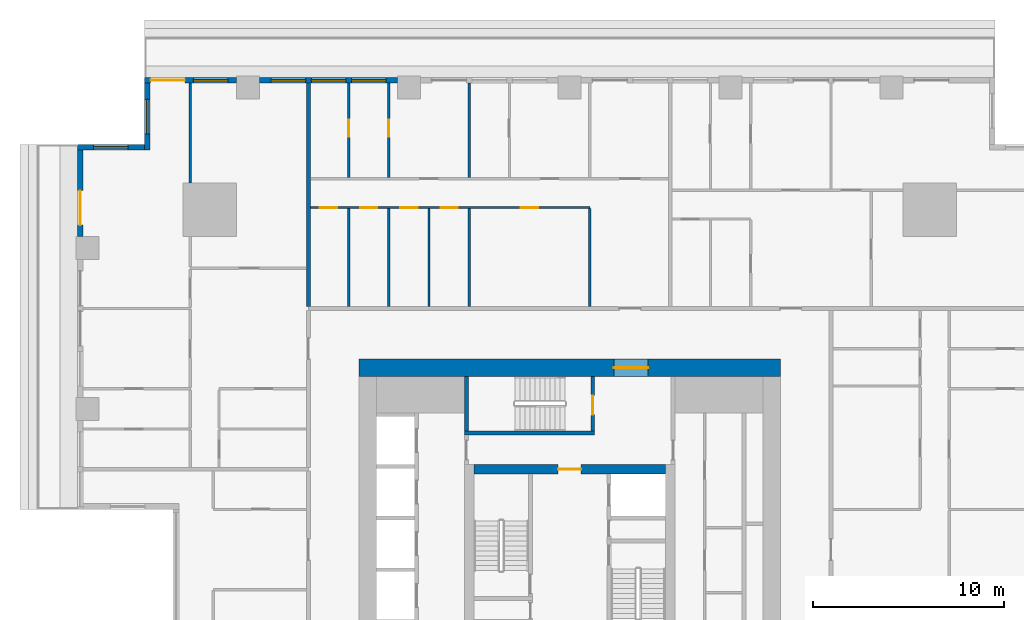
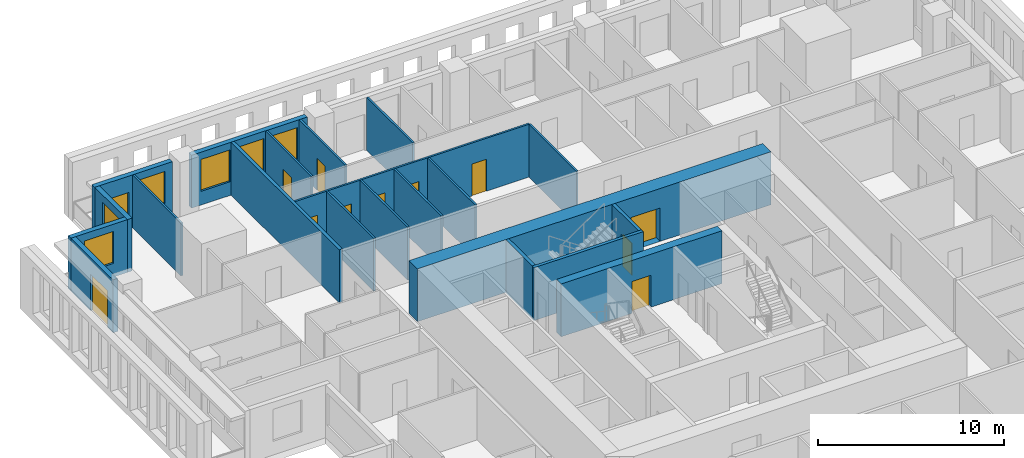
# One storey, part 7 of 15: 21 walls, 12 doors, 6 windows, 18 openings.
"""IFC4 building model written with IfcOpenShell, lengths in metres."""

from ifc_helpers import new_model, si_unit, direction, frame, frame_2d, origin, place, context, subcontext, project, spatial, rectangle, extrude, material, layer, layer_set, type_object, element, fill, save


model = new_model("IFC4")

# Units and contexts
model_context = context("Model", 3, precision=1e-05, world=origin(), true_north=direction((0.0, 1.0)))
body_context = subcontext(model_context, "Body", "Model", "MODEL_VIEW")
ifc_project = project(units=[si_unit("LENGTHUNIT", "METRE"), si_unit("AREAUNIT", "SQUARE_METRE"), si_unit("VOLUMEUNIT", "CUBIC_METRE"), si_unit("PLANEANGLEUNIT", "RADIAN"), si_unit("MASSUNIT", "GRAM", prefix="KILO")], contexts=[model_context])

# Site, building, storey
site_placement = place(None, origin())
site = spatial("IfcSite", under=ifc_project, at=site_placement, CompositionType="ELEMENT")
building_placement = place(site_placement, origin())
building = spatial("IfcBuilding", under=site, at=building_placement, Name="Khepri Terraces", CompositionType="ELEMENT")
storey_placement = place(building_placement, frame((0.0, 0.0, 83.10009765625)))
storey = spatial("IfcBuildingStorey", under=building, at=storey_placement, Name="L19", CompositionType="ELEMENT", Elevation=83.10009765625)

# Walls
ifc_material_1 = material(Name="Concrete C70/85", Category="concrete")
ifc_layer_1 = layer(ifc_material_1, 0.199951171875, Name="Concrete C70/85", Category="concrete")
ifc_layer_set_1 = layer_set([ifc_layer_1], Name="Concrete C70/85")
wall_type_1 = type_object("IfcWallType", Name="Core wall 200 C70/85", PredefinedType="SHEAR", material=ifc_layer_set_1)
wall_1_placement = place(storey_placement, frame((-5.5, 7.14990234375, 0.0), z_axis=(0.0, 0.0, 1.0), x_axis=(1.0, 0.0, 0.0)))
element("IfcWall", 1, at=wall_1_placement, inside=storey, type_object=wall_type_1, Name="Core wall ST05 L19", PredefinedType="SHEAR", context=body_context, shape_type="SweptSolid", body=[
    extrude(rectangle(XDim=6.800048828125, YDim=0.199951171875, at=frame_2d((3.39990234375, 0.0))), origin(), (0.0, 0.0, 1.0), 3.47998046875),
])
wall_2_placement = place(storey_placement, frame((-5.39990234375, 7.25, 0.0), z_axis=(0.0, 0.0, 1.0), x_axis=(0.0, 1.0, 0.0)))
element("IfcWall", 2, at=wall_2_placement, inside=storey, type_object=wall_type_1, Name="Core wall ST06 L19", PredefinedType="SHEAR", context=body_context, shape_type="SweptSolid", body=[
    extrude(rectangle(XDim=2.85009765625, YDim=0.199951171875, at=frame_2d((1.425048828125, 0.0))), origin(), (0.0, 0.0, 1.0), 3.47998046875),
])

# Wall, opening, door
wall_3_placement = place(storey_placement, frame((1.199951171875, 7.25, 0.0), z_axis=(0.0, 0.0, 1.0), x_axis=(0.0, 1.0, 0.0)))
wall_3 = element("IfcWall", 3, at=wall_3_placement, inside=storey, type_object=wall_type_1, Name="Core wall ST07 L19", PredefinedType="SHEAR", context=body_context, shape_type="SweptSolid", body=[
    extrude(rectangle(XDim=2.85009765625, YDim=0.199951171875, at=frame_2d((1.425048828125, 0.0))), origin(), (0.0, 0.0, 1.0), 3.47998046875),
])
opening_1_placement = place(wall_3_placement, frame((0.85009765625, 0.0, 0.0)))
opening_1 = element("IfcOpeningElement", 4, at=opening_1_placement, cuts=wall_3, Name="Opening L19-C15", PredefinedType="OPENING", context=body_context, shape_type="SweptSolid", body=[
    extrude(rectangle(XDim=1.0, YDim=2.10009765625, at=frame_2d((0.5, 1.050048828125))), frame((0.0, 0.10986328125, 0.0), z_axis=(0.0, -1.0, 0.0), x_axis=(1.0, 0.0, 0.0)), (0.0, 0.0, 1.0), 0.219970703125),
])
ifc_material_2 = material(Name="Painted steel", Category="steel")
door_type_1 = type_object("IfcDoorType", Name="DR-CORE-STAIR-1000", OperationType="NOTDEFINED", PredefinedType="DOOR", material=ifc_material_2)
door_1_placement = place(opening_1_placement, origin())
door_1 = element("IfcDoor", 5, at=door_1_placement, inside=storey, type_object=door_type_1, Name="Stair door L19-C15", OperationType="SINGLE_SWING_LEFT", OverallHeight=2.10009765625, OverallWidth=1.0, PredefinedType="DOOR", context=body_context, shape_type="SweptSolid", body=[
    extrude(rectangle(XDim=1.0, YDim=2.10009765625, at=frame_2d((0.5, 1.050048828125))), frame((0.0, 0.02490234375, 0.0), z_axis=(0.0, -1.0, 0.0), x_axis=(1.0, 0.0, 0.0)), (0.0, 0.0, 1.0), 0.050048828125),
])
fill(opening_1, door_1)

ifc_layer_2 = layer(ifc_material_1, 0.5, Name="Concrete C70/85", Category="concrete")
ifc_layer_set_2 = layer_set([ifc_layer_2], Name="Concrete C70/85")
wall_type_2 = type_object("IfcWallType", Name="Core wall 500 C70/85", PredefinedType="SHEAR", material=ifc_layer_set_2)
wall_4_placement = place(storey_placement, frame((-5.0, 5.25, 0.0), z_axis=(0.0, 0.0, 1.0), x_axis=(1.0, 0.0, 0.0)))
wall_4 = element("IfcWall", 6, at=wall_4_placement, inside=storey, type_object=wall_type_2, Name="Core wall BX04 L19", PredefinedType="SHEAR", context=body_context, shape_type="SweptSolid", body=[
    extrude(rectangle(XDim=10.0, YDim=0.5, at=frame_2d((5.0, 0.0))), origin(), (0.0, 0.0, 1.0), 3.47998046875),
])
opening_2_placement = place(wall_4_placement, frame((4.39990234375, 0.0, 0.0)))
opening_2 = element("IfcOpeningElement", 7, at=opening_2_placement, cuts=wall_4, Name="Opening L19-C13", PredefinedType="OPENING", context=body_context, shape_type="SweptSolid", body=[
    extrude(rectangle(XDim=1.199951171875, YDim=2.10009765625, at=frame_2d((0.60009765625, 1.050048828125))), frame((0.0, 0.260009765625, 0.0), z_axis=(0.0, -1.0, 0.0), x_axis=(1.0, 0.0, 0.0)), (0.0, 0.0, 1.0), 0.52001953125),
])
door_type_2 = type_object("IfcDoorType", Name="DR-CORE-FF-LOBBY-1200", OperationType="NOTDEFINED", PredefinedType="DOOR", material=ifc_material_2)
door_2_placement = place(opening_2_placement, frame((1.199951171875, 0.0, 0.0), z_axis=(0.0, 0.0, 1.0), x_axis=(-1.0, 0.0, 0.0)))
door_2 = element("IfcDoor", 8, at=door_2_placement, inside=storey, type_object=door_type_2, Name="Firefighting lobby door L19-C13", OperationType="SINGLE_SWING_LEFT", OverallHeight=2.10009765625, OverallWidth=1.199951171875, PredefinedType="DOOR", context=body_context, shape_type="SweptSolid", body=[
    extrude(rectangle(XDim=1.199951171875, YDim=2.10009765625, at=frame_2d((0.60009765625, 1.050048828125))), frame((0.0, 0.02490234375, 0.0), z_axis=(0.0, -1.0, 0.0), x_axis=(1.0, 0.0, 0.0)), (0.0, 0.0, 1.0), 0.050048828125),
])
fill(opening_2, door_2)

ifc_layer_3 = layer(ifc_material_1, 0.89990234375, Name="Concrete C70/85", Category="concrete")
ifc_layer_set_3 = layer_set([ifc_layer_3], Name="Concrete C70/85")
wall_type_3 = type_object("IfcWallType", Name="Core wall 900 C70/85", PredefinedType="SHEAR", material=ifc_layer_set_3)
wall_5_placement = place(storey_placement, frame((-11.0, 10.550048828125, 0.0), z_axis=(0.0, 0.0, 1.0), x_axis=(1.0, 0.0, 0.0)))
wall_5 = element("IfcWall", 9, at=wall_5_placement, inside=storey, type_object=wall_type_3, Name="Core wall OW-N L19", PredefinedType="SHEAR", context=body_context, shape_type="SweptSolid", body=[
    extrude(rectangle(XDim=22.0, YDim=0.89990234375, at=frame_2d((11.0, 0.0))), origin(), (0.0, 0.0, 1.0), 3.47998046875),
])
opening_3_placement = place(wall_5_placement, frame((13.300048828125, 0.0, 0.0)))
opening_3 = element("IfcOpeningElement", 10, at=opening_3_placement, cuts=wall_5, Name="Opening L19-C20", PredefinedType="OPENING", context=body_context, shape_type="SweptSolid", body=[
    extrude(rectangle(XDim=1.800048828125, YDim=2.199951171875, at=frame_2d((0.89990234375, 1.10009765625))), frame((0.0, 0.4599609375, 0.0), z_axis=(0.0, -1.0, 0.0), x_axis=(1.0, 0.0, 0.0)), (0.0, 0.0, 1.0), 0.919921875),
])
door_type_3 = type_object("IfcDoorType", Name="DR-CORE-ENTRANCE-1800", OperationType="NOTDEFINED", PredefinedType="DOOR", material=ifc_material_2)
door_3_placement = place(opening_3_placement, origin())
door_3 = element("IfcDoor", 11, at=door_3_placement, inside=storey, type_object=door_type_3, Name="Core entrance door pair L19-C20", OperationType="DOUBLE_DOOR_SINGLE_SWING", OverallHeight=2.199951171875, OverallWidth=1.800048828125, PredefinedType="DOOR", context=body_context, shape_type="SweptSolid", body=[
    extrude(rectangle(XDim=1.800048828125, YDim=2.199951171875, at=frame_2d((0.89990234375, 1.10009765625))), frame((0.0, 0.02490234375, 0.0), z_axis=(0.0, -1.0, 0.0), x_axis=(1.0, 0.0, 0.0)), (0.0, 0.0, 1.0), 0.050048828125),
])
fill(opening_3, door_3)

# Wall
ifc_material_3 = material(Name="Fire-rated gypsum plasterboard partition, mineral wool")
ifc_layer_4 = layer(ifc_material_3, 0.199951171875, Name="Fire-rated gypsum plasterboard partition, mineral wool")
ifc_layer_set_4 = layer_set([ifc_layer_4], Name="Fire-rated gypsum plasterboard partition, mineral wool")
wall_type_4 = type_object("IfcWallType", Name="WL-CORR-200", PredefinedType="PARTITIONING", material=ifc_layer_set_4)
wall_6_placement = place(storey_placement, frame((-13.64990234375, 13.75, 0.0), z_axis=(0.0, 0.0, 1.0), x_axis=(0.0, 1.0, 0.0)))
element("IfcWall", 12, at=wall_6_placement, inside=storey, type_object=wall_type_4, Name="Partition P-080 L19", PredefinedType="PARTITIONING", context=body_context, shape_type="SweptSolid", body=[
    extrude(rectangle(XDim=11.669921875, YDim=0.199951171875, at=frame_2d((5.8349609375, 0.0))), origin(), (0.0, 0.0, 1.0), 3.47998046875),
])

# Wall, openings, windows
ifc_material_4 = material(Name="Precast concrete C50/60 warm stone", Category="masonry")
ifc_layer_5 = layer(ifc_material_4, 0.300048828125, Name="Precast concrete C50/60 warm stone", Category="masonry")
ifc_layer_set_5 = layer_set([ifc_layer_5], Name="Precast concrete C50/60 warm stone")
wall_type_5 = type_object("IfcWallType", Name="WL-EXT-PRECAST-300", PredefinedType="STANDARD", material=ifc_layer_set_5)
wall_7_placement = place(storey_placement, frame((-9.0, 25.570068359375, 0.0), z_axis=(0.0, 0.0, 1.0), x_axis=(-1.0, 0.0, 0.0)))
wall_7 = element("IfcWall", 13, at=wall_7_placement, inside=storey, type_object=wall_type_5, Name="External wall L19 N", PredefinedType="STANDARD", context=body_context, shape_type="SweptSolid", body=[
    extrude(rectangle(XDim=7.199951171875, YDim=0.300048828125, at=frame_2d((3.60009765625, 0.0))), origin(), (0.0, 0.0, 1.0), 3.47998046875),
])
opening_4_placement = place(wall_7_placement, frame((0.60009765625, 0.0, 0.89990234375)))
opening_4 = element("IfcOpeningElement", 14, at=opening_4_placement, cuts=wall_7, Name="Opening W1", PredefinedType="OPENING", context=body_context, shape_type="SweptSolid", body=[
    extrude(rectangle(XDim=1.800048828125, YDim=2.10009765625, at=frame_2d((0.89990234375, 1.050048828125))), frame((0.0, 0.16015625, 0.0), z_axis=(0.0, -1.0, 0.0), x_axis=(1.0, 0.0, 0.0)), (0.0, 0.0, 1.0), 0.320068359375),
])
opening_5_placement = place(wall_7_placement, frame((2.699951171875, 0.0, 0.89990234375)))
opening_5 = element("IfcOpeningElement", 15, at=opening_5_placement, cuts=wall_7, Name="Opening W1", PredefinedType="OPENING", context=body_context, shape_type="SweptSolid", body=[
    extrude(rectangle(XDim=1.800048828125, YDim=2.10009765625, at=frame_2d((0.89990234375, 1.050048828125))), frame((0.0, 0.16015625, 0.0), z_axis=(0.0, -1.0, 0.0), x_axis=(1.0, 0.0, 0.0)), (0.0, 0.0, 1.0), 0.320068359375),
])
opening_6_placement = place(wall_7_placement, frame((4.800048828125, 0.0, 0.89990234375)))
opening_6 = element("IfcOpeningElement", 16, at=opening_6_placement, cuts=wall_7, Name="Opening W1", PredefinedType="OPENING", context=body_context, shape_type="SweptSolid", body=[
    extrude(rectangle(XDim=1.800048828125, YDim=2.10009765625, at=frame_2d((0.89990234375, 1.050048828125))), frame((0.0, 0.16015625, 0.0), z_axis=(0.0, -1.0, 0.0), x_axis=(1.0, 0.0, 0.0)), (0.0, 0.0, 1.0), 0.320068359375),
])
ifc_material_5 = material(Name="Clear glass", Category="glass")
window_type = type_object("IfcWindowType", Name="WIN-RES-1800x2100", PartitioningType="SINGLE_PANEL", PredefinedType="WINDOW", material=ifc_material_5)
window_1_placement = place(opening_4_placement, origin())
window_1 = element("IfcWindow", 17, at=window_1_placement, inside=storey, type_object=window_type, Name="Window L19 N", OverallHeight=2.10009765625, OverallWidth=1.800048828125, PartitioningType="SINGLE_PANEL", PredefinedType="WINDOW", context=body_context, shape_type="SweptSolid", body=[
    extrude(rectangle(XDim=1.800048828125, YDim=2.10009765625, at=frame_2d((0.89990234375, 1.050048828125))), frame((0.0, 0.030029296875, 0.0), z_axis=(0.0, -1.0, 0.0), x_axis=(1.0, 0.0, 0.0)), (0.0, 0.0, 1.0), 0.06005859375),
])
fill(opening_4, window_1)
window_2_placement = place(opening_5_placement, origin())
window_2 = element("IfcWindow", 18, at=window_2_placement, inside=storey, type_object=window_type, Name="Window L19 N", OverallHeight=2.10009765625, OverallWidth=1.800048828125, PartitioningType="SINGLE_PANEL", PredefinedType="WINDOW", context=body_context, shape_type="SweptSolid", body=[
    extrude(rectangle(XDim=1.800048828125, YDim=2.10009765625, at=frame_2d((0.89990234375, 1.050048828125))), frame((0.0, 0.030029296875, 0.0), z_axis=(0.0, -1.0, 0.0), x_axis=(1.0, 0.0, 0.0)), (0.0, 0.0, 1.0), 0.06005859375),
])
fill(opening_5, window_2)
window_3_placement = place(opening_6_placement, origin())
window_3 = element("IfcWindow", 19, at=window_3_placement, inside=storey, type_object=window_type, Name="Window L19 N", OverallHeight=2.10009765625, OverallWidth=1.800048828125, PartitioningType="SINGLE_PANEL", PredefinedType="WINDOW", context=body_context, shape_type="SweptSolid", body=[
    extrude(rectangle(XDim=1.800048828125, YDim=2.10009765625, at=frame_2d((0.89990234375, 1.050048828125))), frame((0.0, 0.030029296875, 0.0), z_axis=(0.0, -1.0, 0.0), x_axis=(1.0, 0.0, 0.0)), (0.0, 0.0, 1.0), 0.06005859375),
])
fill(opening_6, window_3)

# Wall, openings, door, window
wall_8_placement = place(storey_placement, frame((-17.39990234375, 25.570068359375, 0.0), z_axis=(0.0, 0.0, 1.0), x_axis=(-1.0, 0.0, 0.0)))
wall_8 = element("IfcWall", 20, at=wall_8_placement, inside=storey, type_object=wall_type_5, Name="External wall L19 N", PredefinedType="STANDARD", context=body_context, shape_type="SweptSolid", body=[
    extrude(rectangle(XDim=4.820068359375, YDim=0.300048828125, at=frame_2d((2.41015625, 0.0))), origin(), (0.0, 0.0, 1.0), 3.47998046875),
])
opening_7_placement = place(wall_8_placement, frame((2.699951171875, 0.0, 0.0)))
opening_7 = element("IfcOpeningElement", 21, at=opening_7_placement, cuts=wall_8, Name="Opening ED-L19-13", PredefinedType="OPENING", context=body_context, shape_type="SweptSolid", body=[
    extrude(rectangle(XDim=1.800048828125, YDim=2.39990234375, at=frame_2d((0.89990234375, 1.199951171875))), frame((0.0, 0.16015625, 0.0), z_axis=(0.0, -1.0, 0.0), x_axis=(1.0, 0.0, 0.0)), (0.0, 0.0, 1.0), 0.320068359375),
])
opening_8_placement = place(wall_8_placement, frame((0.4599609375, 0.0, 0.89990234375)))
opening_8 = element("IfcOpeningElement", 22, at=opening_8_placement, cuts=wall_8, Name="Opening W1", PredefinedType="OPENING", context=body_context, shape_type="SweptSolid", body=[
    extrude(rectangle(XDim=1.800048828125, YDim=2.10009765625, at=frame_2d((0.89990234375, 1.050048828125))), frame((0.0, 0.16015625, 0.0), z_axis=(0.0, -1.0, 0.0), x_axis=(1.0, 0.0, 0.0)), (0.0, 0.0, 1.0), 0.320068359375),
])
ifc_material_6 = material(Name="Anodised aluminium bronze glazed door", Category="aluminium")
door_type_4 = type_object("IfcDoorType", Name="DR-BAL-SLIDE-1800x2400", OperationType="NOTDEFINED", PredefinedType="DOOR", material=ifc_material_6)
door_4_placement = place(opening_7_placement, origin())
door_4 = element("IfcDoor", 23, at=door_4_placement, inside=storey, type_object=door_type_4, Name="Balcony door L19 N", OperationType="SLIDING_TO_LEFT", OverallHeight=2.39990234375, OverallWidth=1.800048828125, PredefinedType="DOOR", context=body_context, shape_type="SweptSolid", body=[
    extrude(rectangle(XDim=1.800048828125, YDim=2.39990234375, at=frame_2d((0.89990234375, 1.199951171875))), frame((0.0, 0.02490234375, 0.0), z_axis=(0.0, -1.0, 0.0), x_axis=(1.0, 0.0, 0.0)), (0.0, 0.0, 1.0), 0.050048828125),
])
fill(opening_7, door_4)
window_4_placement = place(opening_8_placement, origin())
window_4 = element("IfcWindow", 24, at=window_4_placement, inside=storey, type_object=window_type, Name="Window L19 N", OverallHeight=2.10009765625, OverallWidth=1.800048828125, PartitioningType="SINGLE_PANEL", PredefinedType="WINDOW", context=body_context, shape_type="SweptSolid", body=[
    extrude(rectangle(XDim=1.800048828125, YDim=2.10009765625, at=frame_2d((0.89990234375, 1.050048828125))), frame((0.0, 0.030029296875, 0.0), z_axis=(0.0, -1.0, 0.0), x_axis=(1.0, 0.0, 0.0)), (0.0, 0.0, 1.0), 0.06005859375),
])
fill(opening_8, window_4)

# Wall, opening, window
wall_9_placement = place(storey_placement, frame((-22.070068359375, 25.419921875, 0.0), z_axis=(0.0, 0.0, 1.0), x_axis=(0.0, -1.0, 0.0)))
wall_9 = element("IfcWall", 25, at=wall_9_placement, inside=storey, type_object=wall_type_5, Name="External wall L19 W", PredefinedType="STANDARD", context=body_context, shape_type="SweptSolid", body=[
    extrude(rectangle(XDim=3.5, YDim=0.300048828125, at=frame_2d((1.75, 0.0))), origin(), (0.0, 0.0, 1.0), 3.47998046875),
])
opening_9_placement = place(wall_9_placement, frame((0.85009765625, 0.0, 0.89990234375)))
opening_9 = element("IfcOpeningElement", 26, at=opening_9_placement, cuts=wall_9, Name="Opening W1", PredefinedType="OPENING", context=body_context, shape_type="SweptSolid", body=[
    extrude(rectangle(XDim=1.800048828125, YDim=2.10009765625, at=frame_2d((0.89990234375, 1.050048828125))), frame((0.0, 0.16015625, 0.0), z_axis=(0.0, -1.0, 0.0), x_axis=(1.0, 0.0, 0.0)), (0.0, 0.0, 1.0), 0.320068359375),
])
window_5_placement = place(opening_9_placement, origin())
window_5 = element("IfcWindow", 27, at=window_5_placement, inside=storey, type_object=window_type, Name="Window L19 W", OverallHeight=2.10009765625, OverallWidth=1.800048828125, PartitioningType="SINGLE_PANEL", PredefinedType="WINDOW", context=body_context, shape_type="SweptSolid", body=[
    extrude(rectangle(XDim=1.800048828125, YDim=2.10009765625, at=frame_2d((0.89990234375, 1.050048828125))), frame((0.0, 0.030029296875, 0.0), z_axis=(0.0, -1.0, 0.0), x_axis=(1.0, 0.0, 0.0)), (0.0, 0.0, 1.0), 0.06005859375),
])
fill(opening_9, window_5)

wall_10_placement = place(storey_placement, frame((-22.219970703125, 22.070068359375, 0.0), z_axis=(0.0, 0.0, 1.0), x_axis=(-1.0, 0.0, 0.0)))
wall_10 = element("IfcWall", 28, at=wall_10_placement, inside=storey, type_object=wall_type_5, Name="External wall L19 N", PredefinedType="STANDARD", context=body_context, shape_type="SweptSolid", body=[
    extrude(rectangle(XDim=3.5, YDim=0.300048828125, at=frame_2d((1.75, 0.0))), origin(), (0.0, 0.0, 1.0), 3.47998046875),
])
opening_10_placement = place(wall_10_placement, frame((0.85009765625, 0.0, 0.89990234375)))
opening_10 = element("IfcOpeningElement", 29, at=opening_10_placement, cuts=wall_10, Name="Opening W1", PredefinedType="OPENING", context=body_context, shape_type="SweptSolid", body=[
    extrude(rectangle(XDim=1.800048828125, YDim=2.10009765625, at=frame_2d((0.89990234375, 1.050048828125))), frame((0.0, 0.16015625, 0.0), z_axis=(0.0, -1.0, 0.0), x_axis=(1.0, 0.0, 0.0)), (0.0, 0.0, 1.0), 0.320068359375),
])
window_6_placement = place(opening_10_placement, origin())
window_6 = element("IfcWindow", 30, at=window_6_placement, inside=storey, type_object=window_type, Name="Window L19 N", OverallHeight=2.10009765625, OverallWidth=1.800048828125, PartitioningType="SINGLE_PANEL", PredefinedType="WINDOW", context=body_context, shape_type="SweptSolid", body=[
    extrude(rectangle(XDim=1.800048828125, YDim=2.10009765625, at=frame_2d((0.89990234375, 1.050048828125))), frame((0.0, 0.030029296875, 0.0), z_axis=(0.0, -1.0, 0.0), x_axis=(1.0, 0.0, 0.0)), (0.0, 0.0, 1.0), 0.06005859375),
])
fill(opening_10, window_6)

# Wall, opening, door
wall_11_placement = place(storey_placement, frame((-25.570068359375, 21.919921875, 0.0), z_axis=(0.0, 0.0, 1.0), x_axis=(0.0, -1.0, 0.0)))
wall_11 = element("IfcWall", 31, at=wall_11_placement, inside=storey, type_object=wall_type_5, Name="External wall L19 W", PredefinedType="STANDARD", context=body_context, shape_type="SweptSolid", body=[
    extrude(rectangle(XDim=4.52001953125, YDim=0.300048828125, at=frame_2d((2.260009765625, 0.0))), origin(), (0.0, 0.0, 1.0), 3.47998046875),
])
opening_11_placement = place(wall_11_placement, frame((2.1201171875, 0.0, 0.0)))
opening_11 = element("IfcOpeningElement", 32, at=opening_11_placement, cuts=wall_11, Name="Opening ED-L19-14", PredefinedType="OPENING", context=body_context, shape_type="SweptSolid", body=[
    extrude(rectangle(XDim=1.800048828125, YDim=2.39990234375, at=frame_2d((0.89990234375, 1.199951171875))), frame((0.0, 0.16015625, 0.0), z_axis=(0.0, -1.0, 0.0), x_axis=(1.0, 0.0, 0.0)), (0.0, 0.0, 1.0), 0.320068359375),
])
door_5_placement = place(opening_11_placement, origin())
door_5 = element("IfcDoor", 33, at=door_5_placement, inside=storey, type_object=door_type_4, Name="Balcony door L19 W", OperationType="SLIDING_TO_RIGHT", OverallHeight=2.39990234375, OverallWidth=1.800048828125, PredefinedType="DOOR", context=body_context, shape_type="SweptSolid", body=[
    extrude(rectangle(XDim=1.800048828125, YDim=2.39990234375, at=frame_2d((0.89990234375, 1.199951171875))), frame((0.0, 0.02490234375, 0.0), z_axis=(0.0, -1.0, 0.0), x_axis=(1.0, 0.0, 0.0)), (0.0, 0.0, 1.0), 0.050048828125),
])
fill(opening_11, door_5)

# Walls
ifc_material_7 = material(Name="Gypsum plasterboard partition")
ifc_layer_6 = layer(ifc_material_7, 0.1201171875, Name="Gypsum plasterboard partition")
ifc_layer_set_6 = layer_set([ifc_layer_6], Name="Gypsum plasterboard partition")
wall_type_6 = type_object("IfcWallType", Name="WL-PART-120", PredefinedType="PARTITIONING", material=ifc_layer_set_6)
for number, where, z_axis, x_axis, name in (
    (34, (-11.550048828125, 13.75, 0.0), (0.0, 0.0, 1.0), (0.0, 1.0, 0.0), "Partition P-081 L19"),
    (35, (-9.449951171875, 13.75, 0.0), (0.0, 0.0, 1.0), (0.0, 1.0, 0.0), "Partition P-082 L19"),
    (36, (-7.35009765625, 13.75, 0.0), (0.0, 0.0, 1.0), (0.0, 1.0, 0.0), "Partition P-083 L19"),
    (37, (-5.25, 13.75, 0.0), (0.0, 0.0, 1.0), (0.0, 1.0, 0.0), "Partition P-084 L19"),
    (38, (1.050048828125, 13.75, 0.0), (0.0, 0.0, 1.0), (0.0, 1.0, 0.0), "Partition P-085 L19"),
):
    element("IfcWall", number, at=place(storey_placement, frame(where, z_axis=z_axis, x_axis=x_axis)), inside=storey, type_object=wall_type_6, Name=name, PredefinedType="PARTITIONING", context=body_context, shape_type="SweptSolid", body=[
        extrude(rectangle(XDim=5.110107421875, YDim=0.1201171875, at=frame_2d((2.55517578125, 0.0))), origin(), (0.0, 0.0, 1.0), 3.47998046875),
    ])

# Wall, openings, doors
wall_12_placement = place(storey_placement, frame((-13.550048828125, 18.919921875, 0.0), z_axis=(0.0, 0.0, 1.0), x_axis=(1.0, 0.0, 0.0)))
wall_12 = element("IfcWall", 39, at=wall_12_placement, inside=storey, type_object=wall_type_6, Name="Partition P-093 L19", PredefinedType="PARTITIONING", context=body_context, shape_type="SweptSolid", body=[
    extrude(rectangle(XDim=14.60009765625, YDim=0.1201171875, at=frame_2d((7.300048828125, 0.0))), origin(), (0.0, 0.0, 1.0), 3.47998046875),
])
opening_12_placement = place(wall_12_placement, frame((11.0, 0.0, 0.0)))
opening_12 = element("IfcOpeningElement", 40, at=opening_12_placement, cuts=wall_12, Name="Opening D3", PredefinedType="OPENING", context=body_context, shape_type="SweptSolid", body=[
    extrude(rectangle(XDim=0.89990234375, YDim=2.10009765625, at=frame_2d((0.449951171875, 1.050048828125))), frame((0.0, 0.070068359375, 0.0), z_axis=(0.0, -1.0, 0.0), x_axis=(1.0, 0.0, 0.0)), (0.0, 0.0, 1.0), 0.14013671875),
])
opening_13_placement = place(wall_12_placement, frame((6.800048828125, 0.0, 0.0)))
opening_13 = element("IfcOpeningElement", 41, at=opening_13_placement, cuts=wall_12, Name="Opening D3", PredefinedType="OPENING", context=body_context, shape_type="SweptSolid", body=[
    extrude(rectangle(XDim=0.89990234375, YDim=2.10009765625, at=frame_2d((0.449951171875, 1.050048828125))), frame((0.0, 0.070068359375, 0.0), z_axis=(0.0, -1.0, 0.0), x_axis=(1.0, 0.0, 0.0)), (0.0, 0.0, 1.0), 0.14013671875),
])
opening_14_placement = place(wall_12_placement, frame((4.699951171875, 0.0, 0.0)))
opening_14 = element("IfcOpeningElement", 42, at=opening_14_placement, cuts=wall_12, Name="Opening D4", PredefinedType="OPENING", context=body_context, shape_type="SweptSolid", body=[
    extrude(rectangle(XDim=0.89990234375, YDim=2.10009765625, at=frame_2d((0.449951171875, 1.050048828125))), frame((0.0, 0.070068359375, 0.0), z_axis=(0.0, -1.0, 0.0), x_axis=(1.0, 0.0, 0.0)), (0.0, 0.0, 1.0), 0.14013671875),
])
opening_15_placement = place(wall_12_placement, frame((2.60009765625, 0.0, 0.0)))
opening_15 = element("IfcOpeningElement", 43, at=opening_15_placement, cuts=wall_12, Name="Opening D4", PredefinedType="OPENING", context=body_context, shape_type="SweptSolid", body=[
    extrude(rectangle(XDim=0.89990234375, YDim=2.10009765625, at=frame_2d((0.449951171875, 1.050048828125))), frame((0.0, 0.070068359375, 0.0), z_axis=(0.0, -1.0, 0.0), x_axis=(1.0, 0.0, 0.0)), (0.0, 0.0, 1.0), 0.14013671875),
])
opening_16_placement = place(wall_12_placement, frame((0.5, 0.0, 0.0)))
opening_16 = element("IfcOpeningElement", 44, at=opening_16_placement, cuts=wall_12, Name="Opening D3", PredefinedType="OPENING", context=body_context, shape_type="SweptSolid", body=[
    extrude(rectangle(XDim=0.89990234375, YDim=2.10009765625, at=frame_2d((0.449951171875, 1.050048828125))), frame((0.0, 0.070068359375, 0.0), z_axis=(0.0, -1.0, 0.0), x_axis=(1.0, 0.0, 0.0)), (0.0, 0.0, 1.0), 0.14013671875),
])
ifc_material_8 = material(Name="Timber door leaf", Category="wood")
door_type_5 = type_object("IfcDoorType", Name="DR-INT-900", OperationType="NOTDEFINED", PredefinedType="DOOR", material=ifc_material_8)
door_6_placement = place(opening_12_placement, frame((0.89990234375, 0.0, 0.0), z_axis=(0.0, 0.0, 1.0), x_axis=(-1.0, 0.0, 0.0)))
door_6 = element("IfcDoor", 45, at=door_6_placement, inside=storey, type_object=door_type_5, Name="Door Kitchen", OperationType="SINGLE_SWING_LEFT", OverallHeight=2.10009765625, OverallWidth=0.89990234375, PredefinedType="DOOR", context=body_context, shape_type="SweptSolid", body=[
    extrude(rectangle(XDim=0.89990234375, YDim=2.10009765625, at=frame_2d((0.449951171875, 1.050048828125))), frame((0.0, 0.02490234375, 0.0), z_axis=(0.0, -1.0, 0.0), x_axis=(1.0, 0.0, 0.0)), (0.0, 0.0, 1.0), 0.050048828125),
])
fill(opening_12, door_6)
door_7_placement = place(opening_13_placement, frame((0.89990234375, 0.0, 0.0), z_axis=(0.0, 0.0, 1.0), x_axis=(-1.0, 0.0, 0.0)))
door_7 = element("IfcDoor", 46, at=door_7_placement, inside=storey, type_object=door_type_5, Name="Door Service Store", OperationType="SINGLE_SWING_RIGHT", OverallHeight=2.10009765625, OverallWidth=0.89990234375, PredefinedType="DOOR", context=body_context, shape_type="SweptSolid", body=[
    extrude(rectangle(XDim=0.89990234375, YDim=2.10009765625, at=frame_2d((0.449951171875, 1.050048828125))), frame((0.0, 0.02490234375, 0.0), z_axis=(0.0, -1.0, 0.0), x_axis=(1.0, 0.0, 0.0)), (0.0, 0.0, 1.0), 0.050048828125),
])
fill(opening_13, door_7)
door_8_placement = place(opening_16_placement, frame((0.89990234375, 0.0, 0.0), z_axis=(0.0, 0.0, 1.0), x_axis=(-1.0, 0.0, 0.0)))
door_8 = element("IfcDoor", 47, at=door_8_placement, inside=storey, type_object=door_type_5, Name="Door Utility Room", OperationType="SINGLE_SWING_RIGHT", OverallHeight=2.10009765625, OverallWidth=0.89990234375, PredefinedType="DOOR", context=body_context, shape_type="SweptSolid", body=[
    extrude(rectangle(XDim=0.89990234375, YDim=2.10009765625, at=frame_2d((0.449951171875, 1.050048828125))), frame((0.0, 0.02490234375, 0.0), z_axis=(0.0, -1.0, 0.0), x_axis=(1.0, 0.0, 0.0)), (0.0, 0.0, 1.0), 0.050048828125),
])
fill(opening_16, door_8)
ifc_material_9 = material(Name="Timber door leaf, moisture resistant", Category="wood")
door_type_6 = type_object("IfcDoorType", Name="DR-WET-900", OperationType="NOTDEFINED", PredefinedType="DOOR", material=ifc_material_9)
door_9_placement = place(opening_14_placement, frame((0.89990234375, 0.0, 0.0), z_axis=(0.0, 0.0, 1.0), x_axis=(-1.0, 0.0, 0.0)))
door_9 = element("IfcDoor", 48, at=door_9_placement, inside=storey, type_object=door_type_6, Name="Door Powder Room", OperationType="SINGLE_SWING_RIGHT", OverallHeight=2.10009765625, OverallWidth=0.89990234375, PredefinedType="DOOR", context=body_context, shape_type="SweptSolid", body=[
    extrude(rectangle(XDim=0.89990234375, YDim=2.10009765625, at=frame_2d((0.449951171875, 1.050048828125))), frame((0.0, 0.02490234375, 0.0), z_axis=(0.0, -1.0, 0.0), x_axis=(1.0, 0.0, 0.0)), (0.0, 0.0, 1.0), 0.050048828125),
])
fill(opening_14, door_9)
door_10_placement = place(opening_15_placement, frame((0.89990234375, 0.0, 0.0), z_axis=(0.0, 0.0, 1.0), x_axis=(-1.0, 0.0, 0.0)))
door_10 = element("IfcDoor", 49, at=door_10_placement, inside=storey, type_object=door_type_6, Name="Door Guest Bathroom", OperationType="SINGLE_SWING_RIGHT", OverallHeight=2.10009765625, OverallWidth=0.89990234375, PredefinedType="DOOR", context=body_context, shape_type="SweptSolid", body=[
    extrude(rectangle(XDim=0.89990234375, YDim=2.10009765625, at=frame_2d((0.449951171875, 1.050048828125))), frame((0.0, 0.02490234375, 0.0), z_axis=(0.0, -1.0, 0.0), x_axis=(1.0, 0.0, 0.0)), (0.0, 0.0, 1.0), 0.050048828125),
])
fill(opening_15, door_10)

# Wall
wall_13_placement = place(storey_placement, frame((-19.820068359375, 20.199951171875, 0.0), z_axis=(0.0, 0.0, 1.0), x_axis=(0.0, 1.0, 0.0)))
element("IfcWall", 50, at=wall_13_placement, inside=storey, type_object=wall_type_6, Name="Partition P-099 L19", PredefinedType="PARTITIONING", context=body_context, shape_type="SweptSolid", body=[
    extrude(rectangle(XDim=5.219970703125, YDim=0.1201171875, at=frame_2d((2.60986328125, 0.0))), origin(), (0.0, 0.0, 1.0), 3.47998046875),
])

# Wall, opening, door
wall_14_placement = place(storey_placement, frame((-11.550048828125, 20.47998046875, 0.0), z_axis=(0.0, 0.0, 1.0), x_axis=(0.0, 1.0, 0.0)))
wall_14 = element("IfcWall", 51, at=wall_14_placement, inside=storey, type_object=wall_type_6, Name="Partition P-101 L19", PredefinedType="PARTITIONING", context=body_context, shape_type="SweptSolid", body=[
    extrude(rectangle(XDim=4.93994140625, YDim=0.1201171875, at=frame_2d((2.469970703125, 0.0))), origin(), (0.0, 0.0, 1.0), 3.47998046875),
])
opening_17_placement = place(wall_14_placement, frame((2.139892578125, 0.0, 0.0)))
opening_17 = element("IfcOpeningElement", 52, at=opening_17_placement, cuts=wall_14, Name="Opening D4", PredefinedType="OPENING", context=body_context, shape_type="SweptSolid", body=[
    extrude(rectangle(XDim=0.89990234375, YDim=2.10009765625, at=frame_2d((0.449951171875, 1.050048828125))), frame((0.0, 0.070068359375, 0.0), z_axis=(0.0, -1.0, 0.0), x_axis=(1.0, 0.0, 0.0)), (0.0, 0.0, 1.0), 0.14013671875),
])
door_11_placement = place(opening_17_placement, origin())
door_11 = element("IfcDoor", 53, at=door_11_placement, inside=storey, type_object=door_type_6, Name="Door Bathroom", OperationType="SINGLE_SWING_RIGHT", OverallHeight=2.10009765625, OverallWidth=0.89990234375, PredefinedType="DOOR", context=body_context, shape_type="SweptSolid", body=[
    extrude(rectangle(XDim=0.89990234375, YDim=2.10009765625, at=frame_2d((0.449951171875, 1.050048828125))), frame((0.0, 0.02490234375, 0.0), z_axis=(0.0, -1.0, 0.0), x_axis=(1.0, 0.0, 0.0)), (0.0, 0.0, 1.0), 0.050048828125),
])
fill(opening_17, door_11)

wall_15_placement = place(storey_placement, frame((-9.449951171875, 20.47998046875, 0.0), z_axis=(0.0, 0.0, 1.0), x_axis=(0.0, 1.0, 0.0)))
wall_15 = element("IfcWall", 54, at=wall_15_placement, inside=storey, type_object=wall_type_6, Name="Partition P-102 L19", PredefinedType="PARTITIONING", context=body_context, shape_type="SweptSolid", body=[
    extrude(rectangle(XDim=4.93994140625, YDim=0.1201171875, at=frame_2d((2.469970703125, 0.0))), origin(), (0.0, 0.0, 1.0), 3.47998046875),
])
opening_18_placement = place(wall_15_placement, frame((2.139892578125, 0.0, 0.0)))
opening_18 = element("IfcOpeningElement", 55, at=opening_18_placement, cuts=wall_15, Name="Opening D3", PredefinedType="OPENING", context=body_context, shape_type="SweptSolid", body=[
    extrude(rectangle(XDim=0.89990234375, YDim=2.10009765625, at=frame_2d((0.449951171875, 1.050048828125))), frame((0.0, 0.070068359375, 0.0), z_axis=(0.0, -1.0, 0.0), x_axis=(1.0, 0.0, 0.0)), (0.0, 0.0, 1.0), 0.14013671875),
])
door_12_placement = place(opening_18_placement, origin())
door_12 = element("IfcDoor", 56, at=door_12_placement, inside=storey, type_object=door_type_5, Name="Door Dressing Room", OperationType="SINGLE_SWING_RIGHT", OverallHeight=2.10009765625, OverallWidth=0.89990234375, PredefinedType="DOOR", context=body_context, shape_type="SweptSolid", body=[
    extrude(rectangle(XDim=0.89990234375, YDim=2.10009765625, at=frame_2d((0.449951171875, 1.050048828125))), frame((0.0, 0.02490234375, 0.0), z_axis=(0.0, -1.0, 0.0), x_axis=(1.0, 0.0, 0.0)), (0.0, 0.0, 1.0), 0.050048828125),
])
fill(opening_18, door_12)

# Wall
wall_16_placement = place(storey_placement, frame((-5.25, 20.47998046875, 0.0), z_axis=(0.0, 0.0, 1.0), x_axis=(0.0, 1.0, 0.0)))
element("IfcWall", 57, at=wall_16_placement, inside=storey, type_object=wall_type_6, Name="Partition P-103 L19", PredefinedType="PARTITIONING", context=body_context, shape_type="SweptSolid", body=[
    extrude(rectangle(XDim=4.93994140625, YDim=0.1201171875, at=frame_2d((2.469970703125, 0.0))), origin(), (0.0, 0.0, 1.0), 3.47998046875),
])

save(model, "model.ifc")
